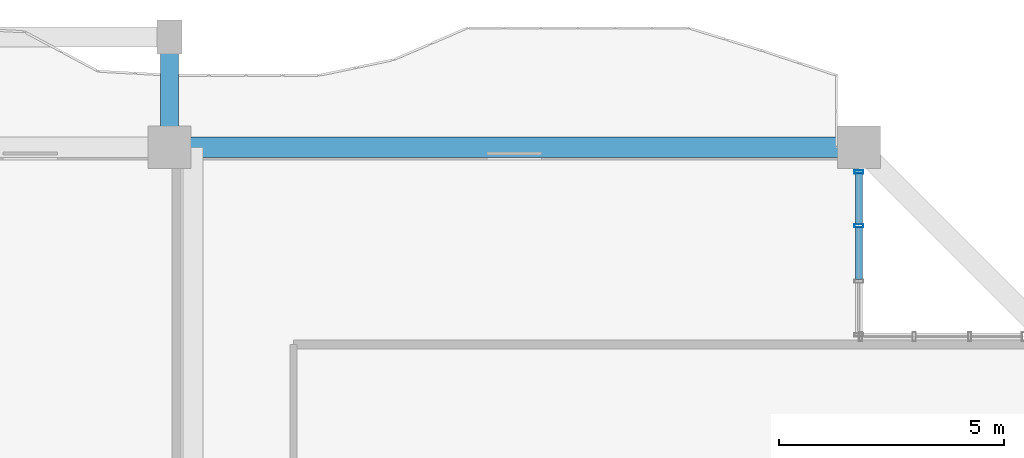
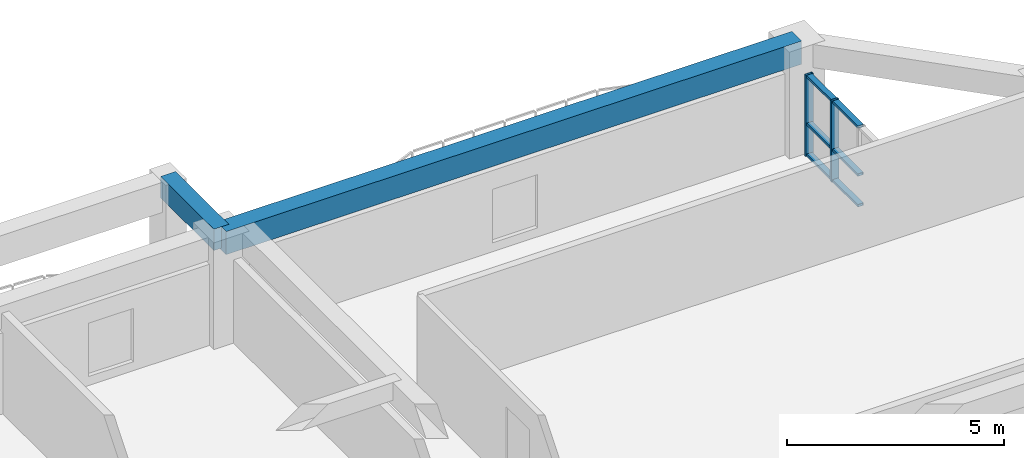
# One storey, part 11 of 22: 8 members, 2 beams, 1 element without a shape of its own.
"""IFC4 building model written with IfcOpenShell, lengths in metres."""

from ifc_helpers import new_model, si_unit, direction, frame, origin, origin_2d, place, context, subcontext, project, spatial, rectangle, hollow_rectangle, extrude, source, transform, mapped, material, layer, layer_set, material_profile, profile_set, type_object, element, aggregate, save


model = new_model("IFC4")

# Units and contexts
model_context = context("Model", 3, precision=1e-05, world=origin(), true_north=direction((0.0, 1.0)))
body_context = subcontext(model_context, "Body", "Model", "MODEL_VIEW")
ifc_project = project(units=[si_unit("LENGTHUNIT", "METRE"), si_unit("AREAUNIT", "SQUARE_METRE"), si_unit("VOLUMEUNIT", "CUBIC_METRE"), si_unit("PLANEANGLEUNIT", "RADIAN"), si_unit("MASSUNIT", "GRAM", prefix="KILO")], contexts=[model_context])

# Site, building, storey
site_placement = place(None, origin())
site = spatial("IfcSite", under=ifc_project, at=site_placement, CompositionType="ELEMENT")
building_placement = place(site_placement, origin())
building = spatial("IfcBuilding", under=site, at=building_placement, Name="Saelheon Loggia Tower", CompositionType="ELEMENT")
storey_placement = place(building_placement, frame((0.0, 0.0, 135.75)))
storey = spatial("IfcBuildingStorey", under=building, at=storey_placement, Name="L43", CompositionType="ELEMENT", Elevation=135.75)

# Beams
ifc_material_1 = material(Name="Precast Concrete C45/55", Category="concrete")
ifc_material_profile_1 = material_profile(ifc_material_1, rectangle(XDim=0.39990234375, YDim=0.60009765625, at=origin_2d()), Name="RC-400x600")
ifc_profile_set_1 = profile_set([ifc_material_profile_1], Name="Precast Concrete C45/55")
beam_type_1 = type_object("IfcBeamType", Name="Beam_LoggiaTie_RC400x600", PredefinedType="BEAM", material=ifc_profile_set_1)
shared_shape_1 = source(origin(), body_context, "Body", "SweptSolid", [
    extrude(rectangle(XDim=0.39990234375, YDim=0.60009765625, at=origin_2d()), origin(), (0.0, 0.0, 1.0), 2.449951171875),
])
beam_1_placement = place(storey_placement, frame((44.5, 51.0, 2.699951171875), z_axis=(0.0, 1.0, 0.0), x_axis=(-1.0, 0.0, 0.0)))
element("IfcBeam", 1, at=beam_1_placement, inside=storey, type_object=beam_type_1, Name="L43 Loggia Frame Tie Beam LP-N2", PredefinedType="BEAM", context=body_context, shape_type="MappedRepresentation", body=[
    mapped(shared_shape_1, transform((0.0, 0.0, 0.0), scale=1.0)),
])
ifc_material_2 = material(Name="Concrete C40/50", Category="concrete")
ifc_material_profile_2 = material_profile(ifc_material_2, rectangle(XDim=0.449951171875, YDim=0.64990234375, at=origin_2d()), Name="RC-450x650")
ifc_profile_set_2 = profile_set([ifc_material_profile_2], Name="Concrete C40/50")
beam_type_2 = type_object("IfcBeamType", Name="Beam_PerimTower_RC450x650", PredefinedType="BEAM", material=ifc_profile_set_2)
shared_shape_2 = source(origin(), body_context, "Body", "SweptSolid", [
    extrude(rectangle(XDim=0.449951171875, YDim=0.64990234375, at=origin_2d()), origin(), (0.0, 0.0, 1.0), 15.300048828125),
])
beam_2_placement = place(storey_placement, frame((59.800048828125, 51.0, 2.675048828125), z_axis=(-1.0, 0.0, 0.0), x_axis=(0.0, -1.0, 0.0)))
element("IfcBeam", 2, at=beam_2_placement, inside=storey, type_object=beam_type_2, Name="L43 Perimeter Frame Girder 09", PredefinedType="BEAM", context=body_context, shape_type="MappedRepresentation", body=[
    mapped(shared_shape_2, transform((0.0, 0.0, 0.0), scale=1.0)),
])

# Curtain wall, members
ifc_material_3 = material(Name="High-Wind Aluminium and Triple Laminated Glass", Category="aluminium")
ifc_layer = layer(ifc_material_3, 0.179931640625)
ifc_layer_set = layer_set([ifc_layer], Name="High-Wind Aluminium and Triple Laminated Glass")
curtain_wall_type = type_object("IfcCurtainWallType", Name="CW_TowerLoggiaHigh", PredefinedType="NOTDEFINED", material=ifc_layer_set)
curtain_wall_placement = place(storey_placement, origin())
curtain_wall = element("IfcCurtainWall", 3, at=curtain_wall_placement, inside=storey, type_object=curtain_wall_type, Name="L43 Corner Notch Glazing NE1", PredefinedType="NOTDEFINED")
ifc_material_4 = material(Name="Anodised Aluminium 6063-T6", Category="aluminium")
ifc_material_profile_3 = material_profile(ifc_material_4, hollow_rectangle(XDim=0.070068359375, YDim=0.199951171875, WallThickness=0.0048828125, at=origin_2d()), Name="RHS-200x70x5")
ifc_profile_set_3 = profile_set([ifc_material_profile_3], Name="Anodised Aluminium 6063-T6")
member_type_1 = type_object("IfcMemberType", Name="CW_TowerLoggiaHigh_Mullion", PredefinedType="MULLION", material=ifc_profile_set_3)
shared_shape_3 = source(origin(), body_context, "Body", "SweptSolid", [
    extrude(hollow_rectangle(XDim=0.070068359375, YDim=0.199951171875, WallThickness=0.0048828125, at=origin_2d()), origin(), (0.0, 0.0, 1.0), 2.280029296875),
])
member_1_placement = place(storey_placement, frame((59.800048828125, 49.256591796875, 0.0), z_axis=(0.0, 0.0, 1.0), x_axis=(0.0, 1.0, 0.0)))
member_1 = element("IfcMember", 4, at=member_1_placement, type_object=member_type_1, Name="CW4 mullion 3", PredefinedType="MULLION", context=body_context, shape_type="MappedRepresentation", body=[
    mapped(shared_shape_3, transform((0.0, 0.0, 0.0), scale=1.0)),
])
member_2_placement = place(storey_placement, frame((59.800048828125, 50.449951171875, 0.0), z_axis=(0.0, 0.0, 1.0), x_axis=(0.0, 1.0, 0.0)))
member_2 = element("IfcMember", 5, at=member_2_placement, type_object=member_type_1, Name="CW4 mullion 4", PredefinedType="MULLION", context=body_context, shape_type="MappedRepresentation", body=[
    mapped(shared_shape_3, transform((0.0, 0.0, 0.0), scale=1.0)),
])
ifc_material_profile_4 = material_profile(ifc_material_4, hollow_rectangle(XDim=0.070068359375, YDim=0.14990234375, WallThickness=0.0048828125, at=origin_2d()), Name="RHS-150x70x5")
ifc_profile_set_4 = profile_set([ifc_material_profile_4], Name="Anodised Aluminium 6063-T6")
member_type_2 = type_object("IfcMemberType", Name="CW_TowerLoggiaHigh_Transom", PredefinedType="USERDEFINED", material=ifc_profile_set_4)
shared_shape_4 = source(origin(), body_context, "Body", "SweptSolid", [
    extrude(hollow_rectangle(XDim=0.070068359375, YDim=0.14990234375, WallThickness=0.0048828125, at=origin_2d()), origin(), (0.0, 0.0, 1.0), 1.123291015625),
])
member_3_placement = place(storey_placement, frame((59.800048828125, 49.291748046875, 0.034912109375), z_axis=(0.0, 1.0, 0.0), x_axis=(0.0, 0.0, 1.0)))
member_3 = element("IfcMember", 6, at=member_3_placement, type_object=member_type_2, Name="CW4 transom 3.1", ObjectType="TRANSOM", PredefinedType="USERDEFINED", context=body_context, shape_type="MappedRepresentation", body=[
    mapped(shared_shape_4, transform((0.0, 0.0, 0.0), scale=1.0)),
])
member_4_placement = place(storey_placement, frame((59.800048828125, 49.291748046875, 0.89990234375), z_axis=(0.0, 1.0, 0.0), x_axis=(0.0, 0.0, 1.0)))
member_4 = element("IfcMember", 7, at=member_4_placement, type_object=member_type_2, Name="CW4 transom 3.2", ObjectType="TRANSOM", PredefinedType="USERDEFINED", context=body_context, shape_type="MappedRepresentation", body=[
    mapped(shared_shape_4, transform((0.0, 0.0, 0.0), scale=1.0)),
])
member_5_placement = place(storey_placement, frame((59.800048828125, 49.291748046875, 2.2451171875), z_axis=(0.0, 1.0, 0.0), x_axis=(0.0, 0.0, 1.0)))
member_5 = element("IfcMember", 8, at=member_5_placement, type_object=member_type_2, Name="CW4 transom 3.3", ObjectType="TRANSOM", PredefinedType="USERDEFINED", context=body_context, shape_type="MappedRepresentation", body=[
    mapped(shared_shape_4, transform((0.0, 0.0, 0.0), scale=1.0)),
])
shared_shape_5 = source(origin(), body_context, "Body", "SweptSolid", [
    extrude(hollow_rectangle(XDim=0.070068359375, YDim=0.14990234375, WallThickness=0.0048828125, at=origin_2d()), origin(), (0.0, 0.0, 1.0), 1.158447265625),
])
member_6_placement = place(storey_placement, frame((59.800048828125, 48.063232421875, 0.034912109375), z_axis=(0.0, 1.0, 0.0), x_axis=(0.0, 0.0, 1.0)))
member_6 = element("IfcMember", 9, at=member_6_placement, type_object=member_type_2, Name="CW4 transom 2.1", ObjectType="TRANSOM", PredefinedType="USERDEFINED", context=body_context, shape_type="MappedRepresentation", body=[
    mapped(shared_shape_5, transform((0.0, 0.0, 0.0), scale=1.0)),
])
member_7_placement = place(storey_placement, frame((59.800048828125, 48.063232421875, 0.89990234375), z_axis=(0.0, 1.0, 0.0), x_axis=(0.0, 0.0, 1.0)))
member_7 = element("IfcMember", 10, at=member_7_placement, type_object=member_type_2, Name="CW4 transom 2.2", ObjectType="TRANSOM", PredefinedType="USERDEFINED", context=body_context, shape_type="MappedRepresentation", body=[
    mapped(shared_shape_5, transform((0.0, 0.0, 0.0), scale=1.0)),
])
member_8_placement = place(storey_placement, frame((59.800048828125, 48.063232421875, 2.2451171875), z_axis=(0.0, 1.0, 0.0), x_axis=(0.0, 0.0, 1.0)))
member_8 = element("IfcMember", 11, at=member_8_placement, type_object=member_type_2, Name="CW4 transom 2.3", ObjectType="TRANSOM", PredefinedType="USERDEFINED", context=body_context, shape_type="MappedRepresentation", body=[
    mapped(shared_shape_5, transform((0.0, 0.0, 0.0), scale=1.0)),
])
aggregate(curtain_wall, [member_1, member_2, member_6, member_7, member_8, member_3, member_4, member_5])

save(model, "model.ifc")
